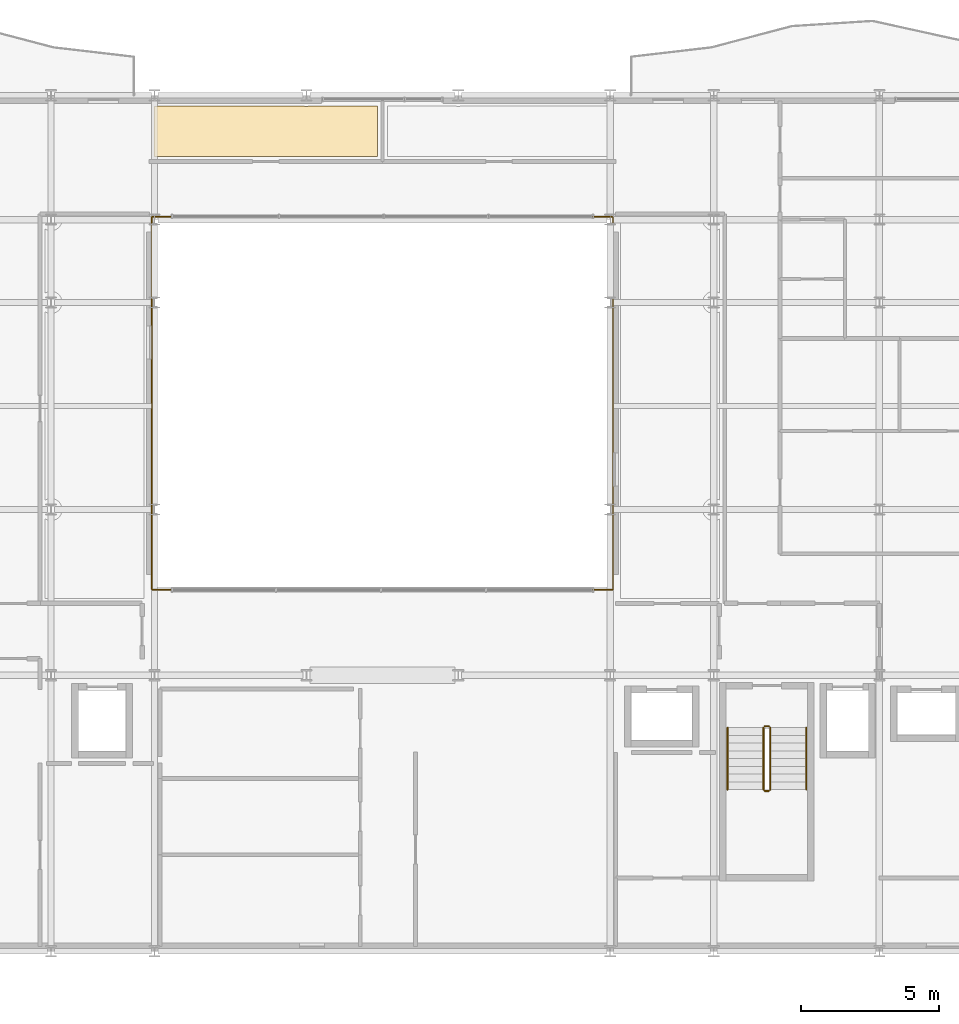
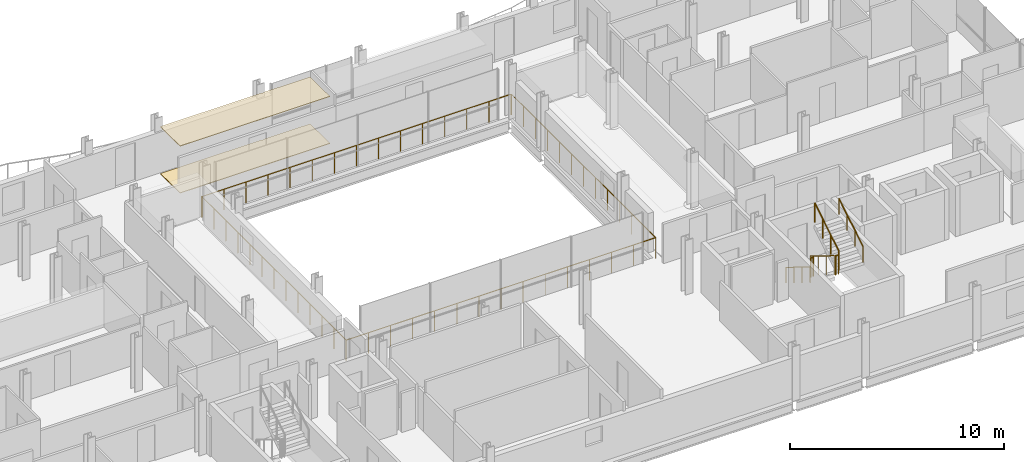
# One storey, part 40 of 41: 8 railings, 2 coverings.
"""IFC4 building model written with IfcOpenShell, lengths in metres."""

from ifc_helpers import new_model, si_unit, direction, frame, origin, origin_2d, place, context, subcontext, project, spatial, polyline, circle, outline, extrude, material, layer, layer_set, type_object, element, save


model = new_model("IFC4")

# Units and contexts
model_context = context("Model", 3, precision=1e-05, world=origin(), true_north=direction((0.0, 1.0)))
body_context = subcontext(model_context, "Body", "Model", "MODEL_VIEW")
ifc_project = project(units=[si_unit("LENGTHUNIT", "METRE"), si_unit("AREAUNIT", "SQUARE_METRE"), si_unit("VOLUMEUNIT", "CUBIC_METRE"), si_unit("PLANEANGLEUNIT", "RADIAN"), si_unit("MASSUNIT", "GRAM", prefix="KILO")], contexts=[model_context])

# Site, building, storey
site_placement = place(None, origin())
site = spatial("IfcSite", under=ifc_project, at=site_placement, CompositionType="ELEMENT")
building_placement = place(site_placement, origin())
building = spatial("IfcBuilding", under=site, at=building_placement, Name="Brevholm Reach", CompositionType="ELEMENT")
storey_placement = place(building_placement, frame((0.0, 0.0, 163.5)))
storey = spatial("IfcBuildingStorey", under=building, at=storey_placement, Name="L49", CompositionType="ELEMENT", Elevation=163.5)

# Coverings
ifc_material_1 = material(Name="Moisture-Resistant Skimmed Gypsum Plasterboard Ceiling", Category="gypsum")
ifc_layer_1 = layer(ifc_material_1, 0.030029296875)
ifc_layer_set_1 = layer_set([ifc_layer_1], Name="Moisture-Resistant Skimmed Gypsum Plasterboard Ceiling")
covering_type_1 = type_object("IfcCoveringType", Name="COV-CLG-GYP", PredefinedType="CEILING", material=ifc_layer_set_1)
covering_1_placement = place(storey_placement, frame((0.0, 0.0, 2.679931640625)))
element("IfcCovering", 1, at=covering_1_placement, inside=storey, type_object=covering_type_1, Name="L49 Suspended Ceiling L49-60", PredefinedType="CEILING", context=body_context, shape_type="SweptSolid", body=[
    extrude(outline(polyline([(27.126220703125, 30.6201171875), (27.1337890625, 30.6171875), (27.172119140625, 30.607666015625), (27.210693359375, 30.601806640625), (27.25, 30.60009765625), (27.289306640625, 30.601806640625), (27.327880859375, 30.607666015625), (27.3662109375, 30.6171875), (27.373779296875, 30.6201171875), (29.820068359375, 30.6201171875), (29.820068359375, 28.783935546875), (21.73388671875, 28.783935546875), (21.73388671875, 30.600830078125), (21.75, 30.60009765625), (21.789306640625, 30.601806640625), (21.827880859375, 30.607666015625), (21.8662109375, 30.6171875), (21.873779296875, 30.6201171875), (27.126220703125, 30.6201171875)])), origin(), (0.0, 0.0, 1.0), 0.030029296875),
])
ifc_material_2 = material(Name="Honed Portland-Aggregate Resin Terrazzo Flooring", Category="concrete")
ifc_layer_2 = layer(ifc_material_2, 0.031982421875)
ifc_layer_set_2 = layer_set([ifc_layer_2], Name="Honed Portland-Aggregate Resin Terrazzo Flooring")
covering_type_2 = type_object("IfcCoveringType", Name="COV-FLR-TRZ", PredefinedType="FLOORING", material=ifc_layer_set_2)
covering_2_placement = place(storey_placement, origin())
element("IfcCovering", 2, at=covering_2_placement, inside=storey, type_object=covering_type_2, Name="L49 Floor Finish L49-60", PredefinedType="FLOORING", context=body_context, shape_type="SweptSolid", body=[
    extrude(outline(polyline([(27.126220703125, 30.6201171875), (27.1337890625, 30.6171875), (27.172119140625, 30.607666015625), (27.210693359375, 30.601806640625), (27.25, 30.60009765625), (27.289306640625, 30.601806640625), (27.327880859375, 30.607666015625), (27.3662109375, 30.6171875), (27.373779296875, 30.6201171875), (29.820068359375, 30.6201171875), (29.820068359375, 28.783935546875), (21.73388671875, 28.783935546875), (21.73388671875, 30.600830078125), (21.75, 30.60009765625), (21.789306640625, 30.601806640625), (21.827880859375, 30.607666015625), (21.8662109375, 30.6171875), (21.873779296875, 30.6201171875), (27.126220703125, 30.6201171875)])), origin(), (0.0, 0.0, 1.0), 0.031982421875),
])

# Railings
ifc_material_3 = material(Name="Brushed Stainless Steel EN 1.4401 Continuous Handrail", Category="steel")
railing_type_1 = type_object("IfcRailingType", Name="RAL-HND-950", PredefinedType="HANDRAIL", material=ifc_material_3)
railing_1_placement = place(storey_placement, frame((42.5, 8.10009765625, 0.172119140625)))
element("IfcRailing", 3, at=railing_1_placement, inside=storey, type_object=railing_type_1, Name="L49 ST-2 stair handrail 1", PredefinedType="HANDRAIL", context=body_context, shape_type="SweptSolid", body=[
    extrude(circle(Radius=0.02392578125, at=origin_2d()), frame((0.0, 0.0, 0.8857421875), z_axis=(0.0, -0.851747552033, 0.523952390591), x_axis=(1.0, 0.0, 0.0)), (0.0, 0.0, 1.0), 2.6298828125),
    extrude(circle(Radius=0.02099609375, at=origin_2d()), origin(), (0.0, 0.0, 1.0), 0.86181640625),
    extrude(circle(Radius=0.02099609375, at=origin_2d()), frame((0.0, -0.74658203125, 0.459228515625)), (0.0, 0.0, 1.0), 0.86181640625),
    extrude(circle(Radius=0.02099609375, at=origin_2d()), frame((0.0, -1.493408203125, 0.918701171875)), (0.0, 0.0, 1.0), 0.86181640625),
    extrude(circle(Radius=0.02099609375, at=origin_2d()), frame((0.0, -2.239990234375, 1.3779296875)), (0.0, 0.0, 1.0), 0.86181640625),
])
railing_2_placement = place(storey_placement, frame((45.35009765625, 5.860107421875, 1.72216796875)))
element("IfcRailing", 4, at=railing_2_placement, inside=storey, type_object=railing_type_1, Name="L49 ST-2 stair handrail 2", PredefinedType="HANDRAIL", context=body_context, shape_type="SweptSolid", body=[
    extrude(circle(Radius=0.02392578125, at=origin_2d()), frame((0.0, 0.0, 0.8857421875), z_axis=(0.0, 0.851747552033, 0.523952390591), x_axis=(-1.0, 0.0, 0.0)), (0.0, 0.0, 1.0), 2.6298828125),
    extrude(circle(Radius=0.02099609375, at=origin_2d()), origin(), (0.0, 0.0, 1.0), 0.86181640625),
    extrude(circle(Radius=0.02099609375, at=origin_2d()), frame((0.0, 0.74658203125, 0.459228515625)), (0.0, 0.0, 1.0), 0.86181640625),
    extrude(circle(Radius=0.02099609375, at=origin_2d()), frame((0.0, 1.493408203125, 0.918701171875)), (0.0, 0.0, 1.0), 0.86181640625),
    extrude(circle(Radius=0.02099609375, at=origin_2d()), frame((0.0, 2.239990234375, 1.3779296875)), (0.0, 0.0, 1.0), 0.86181640625),
])
ifc_material_4 = material(Name="Painted Tubular Galvanised Steel S275JR Stair Guard", Category="steel")
railing_type_2 = type_object("IfcRailingType", Name="RAL-STG-1120", PredefinedType="BALUSTRADE", material=ifc_material_4)
railing_3_placement = place(storey_placement, frame((43.800048828125, 8.10009765625, 0.172119140625)))
element("IfcRailing", 5, at=railing_3_placement, inside=storey, type_object=railing_type_2, Name="L49 ST-2 stair guard 1", PredefinedType="BALUSTRADE", context=body_context, shape_type="SweptSolid", body=[
    extrude(circle(Radius=0.02392578125, at=origin_2d()), frame((0.0, 0.0, 1.076171875), z_axis=(0.0, -0.851747552033, 0.523952390591), x_axis=(1.0, 0.0, 0.0)), (0.0, 0.0, 1.0), 2.6298828125),
    extrude(circle(Radius=0.02099609375, at=origin_2d()), origin(), (0.0, 0.0, 1.0), 1.052001953125),
    extrude(circle(Radius=0.02099609375, at=origin_2d()), frame((0.0, -0.74658203125, 0.459228515625)), (0.0, 0.0, 1.0), 1.052001953125),
    extrude(circle(Radius=0.02099609375, at=origin_2d()), frame((0.0, -1.493408203125, 0.918701171875)), (0.0, 0.0, 1.0), 1.052001953125),
    extrude(circle(Radius=0.02099609375, at=origin_2d()), frame((0.0, -2.239990234375, 1.3779296875)), (0.0, 0.0, 1.0), 1.052001953125),
])
railing_4_placement = place(storey_placement, frame((43.85009765625, 5.81005859375, 1.550048828125)))
element("IfcRailing", 6, at=railing_4_placement, inside=storey, type_object=railing_type_2, Name="L49 ST-2 stair guard 2", PredefinedType="BALUSTRADE", context=body_context, shape_type="SweptSolid", body=[
    extrude(circle(Radius=0.02392578125, at=origin_2d()), frame((0.0, 0.0, 1.076171875), z_axis=(1.0, 0.0, 0.0), x_axis=(0.0, 1.0, 0.0)), (0.0, 0.0, 1.0), 0.14990234375),
    extrude(circle(Radius=0.02099609375, at=origin_2d()), origin(), (0.0, 0.0, 1.0), 1.052001953125),
    extrude(circle(Radius=0.02099609375, at=origin_2d()), frame((0.14990234375, 0.0, 0.0)), (0.0, 0.0, 1.0), 1.052001953125),
])
railing_5_placement = place(storey_placement, frame((44.050048828125, 5.860107421875, 1.72216796875)))
element("IfcRailing", 7, at=railing_5_placement, inside=storey, type_object=railing_type_2, Name="L49 ST-2 stair guard 3", PredefinedType="BALUSTRADE", context=body_context, shape_type="SweptSolid", body=[
    extrude(circle(Radius=0.02392578125, at=origin_2d()), frame((0.0, 0.0, 1.076171875), z_axis=(0.0, 0.851747552033, 0.523952390591), x_axis=(-1.0, 0.0, 0.0)), (0.0, 0.0, 1.0), 2.6298828125),
    extrude(circle(Radius=0.02099609375, at=origin_2d()), origin(), (0.0, 0.0, 1.0), 1.052001953125),
    extrude(circle(Radius=0.02099609375, at=origin_2d()), frame((0.0, 0.74658203125, 0.459228515625)), (0.0, 0.0, 1.0), 1.052001953125),
    extrude(circle(Radius=0.02099609375, at=origin_2d()), frame((0.0, 1.493408203125, 0.918701171875)), (0.0, 0.0, 1.0), 1.052001953125),
    extrude(circle(Radius=0.02099609375, at=origin_2d()), frame((0.0, 2.239990234375, 1.3779296875)), (0.0, 0.0, 1.0), 1.052001953125),
])
railing_6_placement = place(storey_placement, frame((43.85009765625, 8.14990234375, 0.0)))
element("IfcRailing", 8, at=railing_6_placement, inside=storey, type_object=railing_type_2, Name="L49 ST-2 stair guard 4", PredefinedType="BALUSTRADE", context=body_context, shape_type="SweptSolid", body=[
    extrude(circle(Radius=0.02392578125, at=origin_2d()), frame((0.0, 0.0, 1.076171875), z_axis=(1.0, 0.0, 0.0), x_axis=(0.0, 1.0, 0.0)), (0.0, 0.0, 1.0), 0.14990234375),
    extrude(circle(Radius=0.02099609375, at=origin_2d()), origin(), (0.0, 0.0, 1.0), 1.052001953125),
    extrude(circle(Radius=0.02099609375, at=origin_2d()), frame((0.14990234375, 0.0, 0.0)), (0.0, 0.0, 1.0), 1.052001953125),
])
ifc_material_5 = material(Name="Brushed Stainless Steel EN 1.4401 and Laminated Glass", Category="steel")
railing_type_3 = type_object("IfcRailingType", Name="RAL-TERR-1200", PredefinedType="BALUSTRADE", material=ifc_material_5)
railing_7_placement = place(storey_placement, frame((21.64990234375, 13.10009765625, 0.0)))
element("IfcRailing", 9, at=railing_7_placement, inside=storey, type_object=railing_type_3, Name="L49 Guard Balustrade RAL-L49-AT-VOID-SW", PredefinedType="BALUSTRADE", context=body_context, shape_type="SweptSolid", body=[
    extrude(circle(Radius=0.02392578125, at=origin_2d()), frame((0.0, 0.0, 1.17578125), z_axis=(1.0, 0.0, 0.0), x_axis=(0.0, 1.0, 0.0)), (0.0, 0.0, 1.0), 16.7001953125),
    extrude(circle(Radius=0.02392578125, at=origin_2d()), frame((16.7001953125, 0.0, 1.17578125), z_axis=(0.0, 1.0, 0.0), x_axis=(-1.0, 0.0, 0.0)), (0.0, 0.0, 1.0), 13.47998046875),
    extrude(circle(Radius=0.02099609375, at=origin_2d()), origin(), (0.0, 0.0, 1.0), 1.15185546875),
    extrude(circle(Radius=0.02099609375, at=origin_2d()), frame((1.19287109375, 0.0, 0.0)), (0.0, 0.0, 1.0), 1.15185546875),
    extrude(circle(Radius=0.02099609375, at=origin_2d()), frame((2.3857421875, 0.0, 0.0)), (0.0, 0.0, 1.0), 1.15185546875),
    extrude(circle(Radius=0.02099609375, at=origin_2d()), frame((3.57861328125, 0.0, 0.0)), (0.0, 0.0, 1.0), 1.15185546875),
    extrude(circle(Radius=0.02099609375, at=origin_2d()), frame((4.771484375, 0.0, 0.0)), (0.0, 0.0, 1.0), 1.15185546875),
    extrude(circle(Radius=0.02099609375, at=origin_2d()), frame((5.96435546875, 0.0, 0.0)), (0.0, 0.0, 1.0), 1.15185546875),
    extrude(circle(Radius=0.02099609375, at=origin_2d()), frame((7.1572265625, 0.0, 0.0)), (0.0, 0.0, 1.0), 1.15185546875),
    extrude(circle(Radius=0.02099609375, at=origin_2d()), frame((8.35009765625, 0.0, 0.0)), (0.0, 0.0, 1.0), 1.15185546875),
    extrude(circle(Radius=0.02099609375, at=origin_2d()), frame((9.54296875, 0.0, 0.0)), (0.0, 0.0, 1.0), 1.15185546875),
    extrude(circle(Radius=0.02099609375, at=origin_2d()), frame((10.73583984375, 0.0, 0.0)), (0.0, 0.0, 1.0), 1.15185546875),
    extrude(circle(Radius=0.02099609375, at=origin_2d()), frame((11.9287109375, 0.0, 0.0)), (0.0, 0.0, 1.0), 1.15185546875),
    extrude(circle(Radius=0.02099609375, at=origin_2d()), frame((13.12158203125, 0.0, 0.0)), (0.0, 0.0, 1.0), 1.15185546875),
    extrude(circle(Radius=0.02099609375, at=origin_2d()), frame((14.314453125, 0.0, 0.0)), (0.0, 0.0, 1.0), 1.15185546875),
    extrude(circle(Radius=0.02099609375, at=origin_2d()), frame((15.50732421875, 0.0, 0.0)), (0.0, 0.0, 1.0), 1.15185546875),
    extrude(circle(Radius=0.02099609375, at=origin_2d()), frame((16.7001953125, 0.0, 0.0)), (0.0, 0.0, 1.0), 1.15185546875),
    extrude(circle(Radius=0.02099609375, at=origin_2d()), frame((16.7001953125, 1.123291015625, 0.0)), (0.0, 0.0, 1.0), 1.15185546875),
    extrude(circle(Radius=0.02099609375, at=origin_2d()), frame((16.7001953125, 2.24658203125, 0.0)), (0.0, 0.0, 1.0), 1.15185546875),
    extrude(circle(Radius=0.02099609375, at=origin_2d()), frame((16.7001953125, 3.3701171875, 0.0)), (0.0, 0.0, 1.0), 1.15185546875),
    extrude(circle(Radius=0.02099609375, at=origin_2d()), frame((16.7001953125, 4.493408203125, 0.0)), (0.0, 0.0, 1.0), 1.15185546875),
    extrude(circle(Radius=0.02099609375, at=origin_2d()), frame((16.7001953125, 5.61669921875, 0.0)), (0.0, 0.0, 1.0), 1.15185546875),
    extrude(circle(Radius=0.02099609375, at=origin_2d()), frame((16.7001953125, 6.739990234375, 0.0)), (0.0, 0.0, 1.0), 1.15185546875),
    extrude(circle(Radius=0.02099609375, at=origin_2d()), frame((16.7001953125, 7.86328125, 0.0)), (0.0, 0.0, 1.0), 1.15185546875),
    extrude(circle(Radius=0.02099609375, at=origin_2d()), frame((16.7001953125, 8.986572265625, 0.0)), (0.0, 0.0, 1.0), 1.15185546875),
    extrude(circle(Radius=0.02099609375, at=origin_2d()), frame((16.7001953125, 10.10986328125, 0.0)), (0.0, 0.0, 1.0), 1.15185546875),
    extrude(circle(Radius=0.02099609375, at=origin_2d()), frame((16.7001953125, 11.2333984375, 0.0)), (0.0, 0.0, 1.0), 1.15185546875),
    extrude(circle(Radius=0.02099609375, at=origin_2d()), frame((16.7001953125, 12.356689453125, 0.0)), (0.0, 0.0, 1.0), 1.15185546875),
    extrude(circle(Radius=0.02099609375, at=origin_2d()), frame((16.7001953125, 13.47998046875, 0.0)), (0.0, 0.0, 1.0), 1.15185546875),
])
railing_8_placement = place(storey_placement, frame((38.330078125, 26.60009765625, 0.0)))
element("IfcRailing", 10, at=railing_8_placement, inside=storey, type_object=railing_type_3, Name="L49 Guard Balustrade RAL-L49-AT-VOID-NE", PredefinedType="BALUSTRADE", context=body_context, shape_type="SweptSolid", body=[
    extrude(circle(Radius=0.02392578125, at=origin_2d()), frame((0.0, 0.0, 1.17578125), z_axis=(-1.0, 0.0, 0.0), x_axis=(0.0, -1.0, 0.0)), (0.0, 0.0, 1.0), 16.68017578125),
    extrude(circle(Radius=0.02392578125, at=origin_2d()), frame((-16.68017578125, 0.0, 1.17578125), z_axis=(0.0, -1.0, 0.0), x_axis=(1.0, 0.0, 0.0)), (0.0, 0.0, 1.0), 13.47998046875),
    extrude(circle(Radius=0.02099609375, at=origin_2d()), origin(), (0.0, 0.0, 1.0), 1.15185546875),
    extrude(circle(Radius=0.02099609375, at=origin_2d()), frame((-1.19140625, 0.0, 0.0)), (0.0, 0.0, 1.0), 1.15185546875),
    extrude(circle(Radius=0.02099609375, at=origin_2d()), frame((-2.3828125, 0.0, 0.0)), (0.0, 0.0, 1.0), 1.15185546875),
    extrude(circle(Radius=0.02099609375, at=origin_2d()), frame((-3.57421875, 0.0, 0.0)), (0.0, 0.0, 1.0), 1.15185546875),
    extrude(circle(Radius=0.02099609375, at=origin_2d()), frame((-4.765869140625, 0.0, 0.0)), (0.0, 0.0, 1.0), 1.15185546875),
    extrude(circle(Radius=0.02099609375, at=origin_2d()), frame((-5.957275390625, 0.0, 0.0)), (0.0, 0.0, 1.0), 1.15185546875),
    extrude(circle(Radius=0.02099609375, at=origin_2d()), frame((-7.148681640625, 0.0, 0.0)), (0.0, 0.0, 1.0), 1.15185546875),
    extrude(circle(Radius=0.02099609375, at=origin_2d()), frame((-8.340087890625, 0.0, 0.0)), (0.0, 0.0, 1.0), 1.15185546875),
    extrude(circle(Radius=0.02099609375, at=origin_2d()), frame((-9.531494140625, 0.0, 0.0)), (0.0, 0.0, 1.0), 1.15185546875),
    extrude(circle(Radius=0.02099609375, at=origin_2d()), frame((-10.722900390625, 0.0, 0.0)), (0.0, 0.0, 1.0), 1.15185546875),
    extrude(circle(Radius=0.02099609375, at=origin_2d()), frame((-11.914306640625, 0.0, 0.0)), (0.0, 0.0, 1.0), 1.15185546875),
    extrude(circle(Radius=0.02099609375, at=origin_2d()), frame((-13.10595703125, 0.0, 0.0)), (0.0, 0.0, 1.0), 1.15185546875),
    extrude(circle(Radius=0.02099609375, at=origin_2d()), frame((-14.29736328125, 0.0, 0.0)), (0.0, 0.0, 1.0), 1.15185546875),
    extrude(circle(Radius=0.02099609375, at=origin_2d()), frame((-15.48876953125, 0.0, 0.0)), (0.0, 0.0, 1.0), 1.15185546875),
    extrude(circle(Radius=0.02099609375, at=origin_2d()), frame((-16.68017578125, 0.0, 0.0)), (0.0, 0.0, 1.0), 1.15185546875),
    extrude(circle(Radius=0.02099609375, at=origin_2d()), frame((-16.68017578125, -1.123291015625, 0.0)), (0.0, 0.0, 1.0), 1.15185546875),
    extrude(circle(Radius=0.02099609375, at=origin_2d()), frame((-16.68017578125, -2.24658203125, 0.0)), (0.0, 0.0, 1.0), 1.15185546875),
    extrude(circle(Radius=0.02099609375, at=origin_2d()), frame((-16.68017578125, -3.3701171875, 0.0)), (0.0, 0.0, 1.0), 1.15185546875),
    extrude(circle(Radius=0.02099609375, at=origin_2d()), frame((-16.68017578125, -4.493408203125, 0.0)), (0.0, 0.0, 1.0), 1.15185546875),
    extrude(circle(Radius=0.02099609375, at=origin_2d()), frame((-16.68017578125, -5.61669921875, 0.0)), (0.0, 0.0, 1.0), 1.15185546875),
    extrude(circle(Radius=0.02099609375, at=origin_2d()), frame((-16.68017578125, -6.739990234375, 0.0)), (0.0, 0.0, 1.0), 1.15185546875),
    extrude(circle(Radius=0.02099609375, at=origin_2d()), frame((-16.68017578125, -7.86328125, 0.0)), (0.0, 0.0, 1.0), 1.15185546875),
    extrude(circle(Radius=0.02099609375, at=origin_2d()), frame((-16.68017578125, -8.986572265625, 0.0)), (0.0, 0.0, 1.0), 1.15185546875),
    extrude(circle(Radius=0.02099609375, at=origin_2d()), frame((-16.68017578125, -10.10986328125, 0.0)), (0.0, 0.0, 1.0), 1.15185546875),
    extrude(circle(Radius=0.02099609375, at=origin_2d()), frame((-16.68017578125, -11.2333984375, 0.0)), (0.0, 0.0, 1.0), 1.15185546875),
    extrude(circle(Radius=0.02099609375, at=origin_2d()), frame((-16.68017578125, -12.356689453125, 0.0)), (0.0, 0.0, 1.0), 1.15185546875),
    extrude(circle(Radius=0.02099609375, at=origin_2d()), frame((-16.68017578125, -13.47998046875, 0.0)), (0.0, 0.0, 1.0), 1.15185546875),
])

save(model, "model.ifc")
